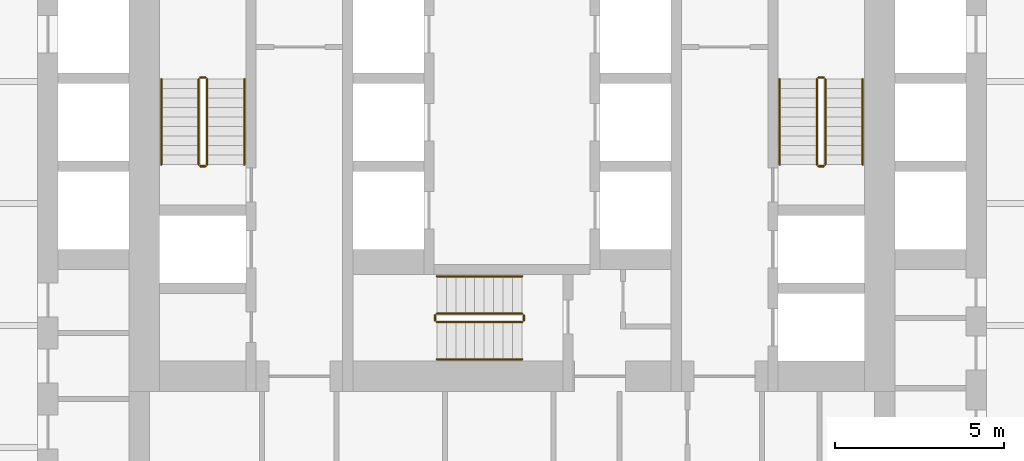
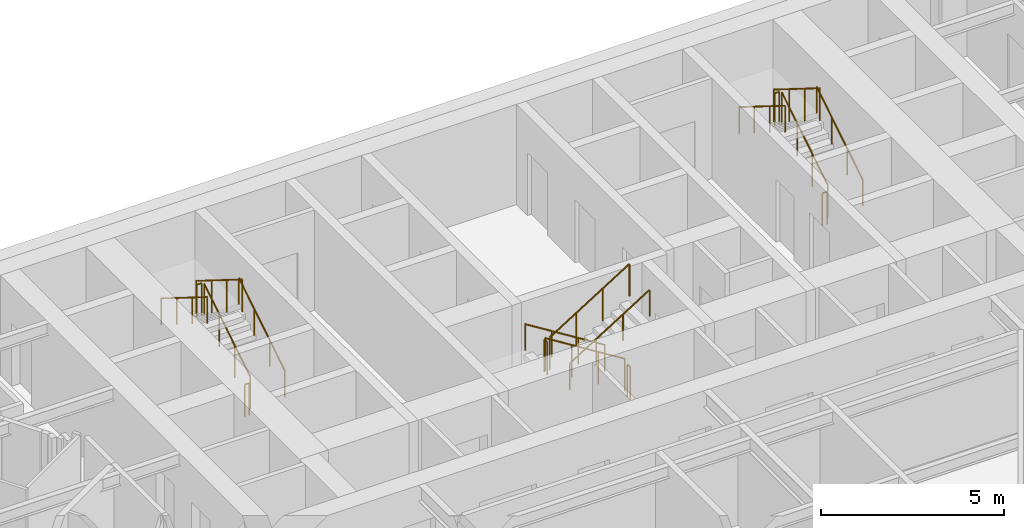
# One storey, part 10 of 10: 18 railings.
"""IFC4 building model written with IfcOpenShell, lengths in metres."""

from ifc_helpers import new_model, si_unit, direction, frame, origin, origin_2d, place, context, subcontext, project, spatial, circle, extrude, material, type_object, element, save


model = new_model("IFC4")

# Units and contexts
model_context = context("Model", 3, precision=1e-05, world=origin(), true_north=direction((0.0, 1.0)))
body_context = subcontext(model_context, "Body", "Model", "MODEL_VIEW")
ifc_project = project(units=[si_unit("LENGTHUNIT", "METRE"), si_unit("AREAUNIT", "SQUARE_METRE"), si_unit("VOLUMEUNIT", "CUBIC_METRE"), si_unit("PLANEANGLEUNIT", "RADIAN"), si_unit("MASSUNIT", "GRAM", prefix="KILO")], contexts=[model_context])

# Site, building, storey
site_placement = place(None, origin())
site = spatial("IfcSite", under=ifc_project, at=site_placement, CompositionType="ELEMENT")
building_placement = place(site_placement, origin())
building = spatial("IfcBuilding", under=site, at=building_placement, Name="Aloe Facet Convention Tower", CompositionType="ELEMENT")
storey_placement = place(building_placement, frame((0.0, 0.0, 59.5)))
storey = spatial("IfcBuildingStorey", under=building, at=storey_placement, Name="L13", CompositionType="ELEMENT", Elevation=59.5)

# Railings
ifc_material_1 = material(Name="Steel S355 balustrade", Category="steel")
railing_type_1 = type_object("IfcRailingType", Name="CR-RL-GUARD", PredefinedType="GUARDRAIL", material=ifc_material_1)
railing_1_placement = place(storey_placement, frame((71.0, 128.949951171875, 0.175048828125)))
element("IfcRailing", 1, at=railing_1_placement, inside=storey, type_object=railing_type_1, Name="L13 ST1 stair guard 1", PredefinedType="GUARDRAIL", context=body_context, shape_type="SweptSolid", body=[
    extrude(circle(Radius=0.02392578125, at=origin_2d()), frame((0.0, 0.0, 1.076171875), z_axis=(0.0, 0.848007534815, 0.529984170421), x_axis=(-1.0, 0.0, 0.0)), (0.0, 0.0, 1.0), 2.9716796875),
    extrude(circle(Radius=0.02099609375, at=origin_2d()), origin(), (0.0, 0.0, 1.0), 1.052001953125),
    extrude(circle(Radius=0.02099609375, at=origin_2d()), frame((0.0, 0.840087890625, 0.52490234375)), (0.0, 0.0, 1.0), 1.052001953125),
    extrude(circle(Radius=0.02099609375, at=origin_2d()), frame((0.0, 1.679931640625, 1.050048828125)), (0.0, 0.0, 1.0), 1.052001953125),
    extrude(circle(Radius=0.02099609375, at=origin_2d()), frame((0.0, 2.52001953125, 1.574951171875)), (0.0, 0.0, 1.0), 1.052001953125),
])
railing_2_placement = place(storey_placement, frame((70.949951171875, 131.52001953125, 1.75)))
element("IfcRailing", 2, at=railing_2_placement, inside=storey, type_object=railing_type_1, Name="L13 ST1 stair guard 2", PredefinedType="GUARDRAIL", context=body_context, shape_type="SweptSolid", body=[
    extrude(circle(Radius=0.02392578125, at=origin_2d()), frame((0.0, 0.0, 1.076171875), z_axis=(-1.0, 0.0, 0.0), x_axis=(0.0, -1.0, 0.0)), (0.0, 0.0, 1.0), 0.14990234375),
    extrude(circle(Radius=0.02099609375, at=origin_2d()), origin(), (0.0, 0.0, 1.0), 1.052001953125),
    extrude(circle(Radius=0.02099609375, at=origin_2d()), frame((-0.14990234375, 0.0, 0.0)), (0.0, 0.0, 1.0), 1.052001953125),
])
railing_3_placement = place(storey_placement, frame((70.75, 131.469970703125, 1.925048828125)))
element("IfcRailing", 3, at=railing_3_placement, inside=storey, type_object=railing_type_1, Name="L13 ST1 stair guard 3", PredefinedType="GUARDRAIL", context=body_context, shape_type="SweptSolid", body=[
    extrude(circle(Radius=0.02392578125, at=origin_2d()), frame((0.0, 0.0, 1.076171875), z_axis=(0.0, -0.848007534815, 0.529984170421), x_axis=(1.0, 0.0, 0.0)), (0.0, 0.0, 1.0), 2.9716796875),
    extrude(circle(Radius=0.02099609375, at=origin_2d()), origin(), (0.0, 0.0, 1.0), 1.052001953125),
    extrude(circle(Radius=0.02099609375, at=origin_2d()), frame((0.0, -0.840087890625, 0.52490234375)), (0.0, 0.0, 1.0), 1.052001953125),
    extrude(circle(Radius=0.02099609375, at=origin_2d()), frame((0.0, -1.679931640625, 1.050048828125)), (0.0, 0.0, 1.0), 1.052001953125),
    extrude(circle(Radius=0.02099609375, at=origin_2d()), frame((0.0, -2.52001953125, 1.574951171875)), (0.0, 0.0, 1.0), 1.052001953125),
])
railing_4_placement = place(storey_placement, frame((70.949951171875, 128.89990234375, 0.0)))
element("IfcRailing", 4, at=railing_4_placement, inside=storey, type_object=railing_type_1, Name="L13 ST1 stair guard 4", PredefinedType="GUARDRAIL", context=body_context, shape_type="SweptSolid", body=[
    extrude(circle(Radius=0.02392578125, at=origin_2d()), frame((0.0, 0.0, 1.076171875), z_axis=(-1.0, 0.0, 0.0), x_axis=(0.0, -1.0, 0.0)), (0.0, 0.0, 1.0), 0.14990234375),
    extrude(circle(Radius=0.02099609375, at=origin_2d()), origin(), (0.0, 0.0, 1.0), 1.052001953125),
    extrude(circle(Radius=0.02099609375, at=origin_2d()), frame((-0.14990234375, 0.0, 0.0)), (0.0, 0.0, 1.0), 1.052001953125),
])
railing_5_placement = place(storey_placement, frame((89.25, 128.949951171875, 0.175048828125)))
element("IfcRailing", 5, at=railing_5_placement, inside=storey, type_object=railing_type_1, Name="L13 ST2 stair guard 1", PredefinedType="GUARDRAIL", context=body_context, shape_type="SweptSolid", body=[
    extrude(circle(Radius=0.02392578125, at=origin_2d()), frame((0.0, 0.0, 1.076171875), z_axis=(0.0, 0.848007534815, 0.529984170421), x_axis=(-1.0, 0.0, 0.0)), (0.0, 0.0, 1.0), 2.9716796875),
    extrude(circle(Radius=0.02099609375, at=origin_2d()), origin(), (0.0, 0.0, 1.0), 1.052001953125),
    extrude(circle(Radius=0.02099609375, at=origin_2d()), frame((0.0, 0.840087890625, 0.52490234375)), (0.0, 0.0, 1.0), 1.052001953125),
    extrude(circle(Radius=0.02099609375, at=origin_2d()), frame((0.0, 1.679931640625, 1.050048828125)), (0.0, 0.0, 1.0), 1.052001953125),
    extrude(circle(Radius=0.02099609375, at=origin_2d()), frame((0.0, 2.52001953125, 1.574951171875)), (0.0, 0.0, 1.0), 1.052001953125),
])
railing_6_placement = place(storey_placement, frame((89.199951171875, 131.52001953125, 1.75)))
element("IfcRailing", 6, at=railing_6_placement, inside=storey, type_object=railing_type_1, Name="L13 ST2 stair guard 2", PredefinedType="GUARDRAIL", context=body_context, shape_type="SweptSolid", body=[
    extrude(circle(Radius=0.02392578125, at=origin_2d()), frame((0.0, 0.0, 1.076171875), z_axis=(-1.0, 0.0, 0.0), x_axis=(0.0, -1.0, 0.0)), (0.0, 0.0, 1.0), 0.14990234375),
    extrude(circle(Radius=0.02099609375, at=origin_2d()), origin(), (0.0, 0.0, 1.0), 1.052001953125),
    extrude(circle(Radius=0.02099609375, at=origin_2d()), frame((-0.14990234375, 0.0, 0.0)), (0.0, 0.0, 1.0), 1.052001953125),
])
railing_7_placement = place(storey_placement, frame((89.0, 131.469970703125, 1.925048828125)))
element("IfcRailing", 7, at=railing_7_placement, inside=storey, type_object=railing_type_1, Name="L13 ST2 stair guard 3", PredefinedType="GUARDRAIL", context=body_context, shape_type="SweptSolid", body=[
    extrude(circle(Radius=0.02392578125, at=origin_2d()), frame((0.0, 0.0, 1.076171875), z_axis=(0.0, -0.848007534815, 0.529984170421), x_axis=(1.0, 0.0, 0.0)), (0.0, 0.0, 1.0), 2.9716796875),
    extrude(circle(Radius=0.02099609375, at=origin_2d()), origin(), (0.0, 0.0, 1.0), 1.052001953125),
    extrude(circle(Radius=0.02099609375, at=origin_2d()), frame((0.0, -0.840087890625, 0.52490234375)), (0.0, 0.0, 1.0), 1.052001953125),
    extrude(circle(Radius=0.02099609375, at=origin_2d()), frame((0.0, -1.679931640625, 1.050048828125)), (0.0, 0.0, 1.0), 1.052001953125),
    extrude(circle(Radius=0.02099609375, at=origin_2d()), frame((0.0, -2.52001953125, 1.574951171875)), (0.0, 0.0, 1.0), 1.052001953125),
])
railing_8_placement = place(storey_placement, frame((89.199951171875, 128.89990234375, 0.0)))
element("IfcRailing", 8, at=railing_8_placement, inside=storey, type_object=railing_type_1, Name="L13 ST2 stair guard 4", PredefinedType="GUARDRAIL", context=body_context, shape_type="SweptSolid", body=[
    extrude(circle(Radius=0.02392578125, at=origin_2d()), frame((0.0, 0.0, 1.076171875), z_axis=(-1.0, 0.0, 0.0), x_axis=(0.0, -1.0, 0.0)), (0.0, 0.0, 1.0), 0.14990234375),
    extrude(circle(Radius=0.02099609375, at=origin_2d()), origin(), (0.0, 0.0, 1.0), 1.052001953125),
    extrude(circle(Radius=0.02099609375, at=origin_2d()), frame((-0.14990234375, 0.0, 0.0)), (0.0, 0.0, 1.0), 1.052001953125),
])
railing_9_placement = place(storey_placement, frame((80.300048828125, 124.550048828125, 0.175048828125)))
element("IfcRailing", 9, at=railing_9_placement, inside=storey, type_object=railing_type_1, Name="L13 ST3 stair guard 1", PredefinedType="GUARDRAIL", context=body_context, shape_type="SweptSolid", body=[
    extrude(circle(Radius=0.02392578125, at=origin_2d()), frame((0.0, 0.0, 1.076171875), z_axis=(-0.848007534815, 0.0, 0.529984170421), x_axis=(0.0, -1.0, 0.0)), (0.0, 0.0, 1.0), 2.9716796875),
    extrude(circle(Radius=0.02099609375, at=origin_2d()), origin(), (0.0, 0.0, 1.0), 1.052001953125),
    extrude(circle(Radius=0.02099609375, at=origin_2d()), frame((-0.840087890625, 0.0, 0.52490234375)), (0.0, 0.0, 1.0), 1.052001953125),
    extrude(circle(Radius=0.02099609375, at=origin_2d()), frame((-1.679931640625, 0.0, 1.050048828125)), (0.0, 0.0, 1.0), 1.052001953125),
    extrude(circle(Radius=0.02099609375, at=origin_2d()), frame((-2.52001953125, 0.0, 1.574951171875)), (0.0, 0.0, 1.0), 1.052001953125),
])
railing_10_placement = place(storey_placement, frame((77.72998046875, 124.5, 1.75)))
element("IfcRailing", 10, at=railing_10_placement, inside=storey, type_object=railing_type_1, Name="L13 ST3 stair guard 2", PredefinedType="GUARDRAIL", context=body_context, shape_type="SweptSolid", body=[
    extrude(circle(Radius=0.02392578125, at=origin_2d()), frame((0.0, 0.0, 1.076171875), z_axis=(0.0, -1.0, 0.0), x_axis=(1.0, 0.0, 0.0)), (0.0, 0.0, 1.0), 0.14990234375),
    extrude(circle(Radius=0.02099609375, at=origin_2d()), origin(), (0.0, 0.0, 1.0), 1.052001953125),
    extrude(circle(Radius=0.02099609375, at=origin_2d()), frame((0.0, -0.14990234375, 0.0)), (0.0, 0.0, 1.0), 1.052001953125),
])
railing_11_placement = place(storey_placement, frame((77.780029296875, 124.300048828125, 1.925048828125)))
element("IfcRailing", 11, at=railing_11_placement, inside=storey, type_object=railing_type_1, Name="L13 ST3 stair guard 3", PredefinedType="GUARDRAIL", context=body_context, shape_type="SweptSolid", body=[
    extrude(circle(Radius=0.02392578125, at=origin_2d()), frame((0.0, 0.0, 1.076171875), z_axis=(0.848007534815, 0.0, 0.529984170421), x_axis=(0.0, 1.0, 0.0)), (0.0, 0.0, 1.0), 2.9716796875),
    extrude(circle(Radius=0.02099609375, at=origin_2d()), origin(), (0.0, 0.0, 1.0), 1.052001953125),
    extrude(circle(Radius=0.02099609375, at=origin_2d()), frame((0.840087890625, 0.0, 0.52490234375)), (0.0, 0.0, 1.0), 1.052001953125),
    extrude(circle(Radius=0.02099609375, at=origin_2d()), frame((1.679931640625, 0.0, 1.050048828125)), (0.0, 0.0, 1.0), 1.052001953125),
    extrude(circle(Radius=0.02099609375, at=origin_2d()), frame((2.52001953125, 0.0, 1.574951171875)), (0.0, 0.0, 1.0), 1.052001953125),
])
railing_12_placement = place(storey_placement, frame((80.35009765625, 124.5, 0.0)))
element("IfcRailing", 12, at=railing_12_placement, inside=storey, type_object=railing_type_1, Name="L13 ST3 stair guard 4", PredefinedType="GUARDRAIL", context=body_context, shape_type="SweptSolid", body=[
    extrude(circle(Radius=0.02392578125, at=origin_2d()), frame((0.0, 0.0, 1.076171875), z_axis=(0.0, -1.0, 0.0), x_axis=(1.0, 0.0, 0.0)), (0.0, 0.0, 1.0), 0.14990234375),
    extrude(circle(Radius=0.02099609375, at=origin_2d()), origin(), (0.0, 0.0, 1.0), 1.052001953125),
    extrude(circle(Radius=0.02099609375, at=origin_2d()), frame((0.0, -0.14990234375, 0.0)), (0.0, 0.0, 1.0), 1.052001953125),
])
ifc_material_2 = material(Name="Steel S355 handrail", Category="steel")
railing_type_2 = type_object("IfcRailingType", Name="CR-RL-HAND", PredefinedType="HANDRAIL", material=ifc_material_2)
railing_13_placement = place(storey_placement, frame((72.10009765625, 128.949951171875, 0.175048828125)))
element("IfcRailing", 13, at=railing_13_placement, inside=storey, type_object=railing_type_2, Name="L13 ST1 stair handrail 1", PredefinedType="HANDRAIL", context=body_context, shape_type="SweptSolid", body=[
    extrude(circle(Radius=0.02392578125, at=origin_2d()), frame((0.0, 0.0, 0.8759765625), z_axis=(0.0, 0.848007534815, 0.529984170421), x_axis=(-1.0, 0.0, 0.0)), (0.0, 0.0, 1.0), 2.9716796875),
    extrude(circle(Radius=0.02099609375, at=origin_2d()), origin(), (0.0, 0.0, 1.0), 0.851806640625),
    extrude(circle(Radius=0.02099609375, at=origin_2d()), frame((0.0, 0.840087890625, 0.52490234375)), (0.0, 0.0, 1.0), 0.851806640625),
    extrude(circle(Radius=0.02099609375, at=origin_2d()), frame((0.0, 1.679931640625, 1.050048828125)), (0.0, 0.0, 1.0), 0.851806640625),
    extrude(circle(Radius=0.02099609375, at=origin_2d()), frame((0.0, 2.52001953125, 1.574951171875)), (0.0, 0.0, 1.0), 0.851806640625),
])
railing_14_placement = place(storey_placement, frame((69.64990234375, 131.469970703125, 1.925048828125)))
element("IfcRailing", 14, at=railing_14_placement, inside=storey, type_object=railing_type_2, Name="L13 ST1 stair handrail 2", PredefinedType="HANDRAIL", context=body_context, shape_type="SweptSolid", body=[
    extrude(circle(Radius=0.02392578125, at=origin_2d()), frame((0.0, 0.0, 0.8759765625), z_axis=(0.0, -0.848007534815, 0.529984170421), x_axis=(1.0, 0.0, 0.0)), (0.0, 0.0, 1.0), 2.9716796875),
    extrude(circle(Radius=0.02099609375, at=origin_2d()), origin(), (0.0, 0.0, 1.0), 0.851806640625),
    extrude(circle(Radius=0.02099609375, at=origin_2d()), frame((0.0, -0.840087890625, 0.52490234375)), (0.0, 0.0, 1.0), 0.851806640625),
    extrude(circle(Radius=0.02099609375, at=origin_2d()), frame((0.0, -1.679931640625, 1.050048828125)), (0.0, 0.0, 1.0), 0.851806640625),
    extrude(circle(Radius=0.02099609375, at=origin_2d()), frame((0.0, -2.52001953125, 1.574951171875)), (0.0, 0.0, 1.0), 0.851806640625),
])
railing_15_placement = place(storey_placement, frame((90.35009765625, 128.949951171875, 0.175048828125)))
element("IfcRailing", 15, at=railing_15_placement, inside=storey, type_object=railing_type_2, Name="L13 ST2 stair handrail 1", PredefinedType="HANDRAIL", context=body_context, shape_type="SweptSolid", body=[
    extrude(circle(Radius=0.02392578125, at=origin_2d()), frame((0.0, 0.0, 0.8759765625), z_axis=(0.0, 0.848007534815, 0.529984170421), x_axis=(-1.0, 0.0, 0.0)), (0.0, 0.0, 1.0), 2.9716796875),
    extrude(circle(Radius=0.02099609375, at=origin_2d()), origin(), (0.0, 0.0, 1.0), 0.851806640625),
    extrude(circle(Radius=0.02099609375, at=origin_2d()), frame((0.0, 0.840087890625, 0.52490234375)), (0.0, 0.0, 1.0), 0.851806640625),
    extrude(circle(Radius=0.02099609375, at=origin_2d()), frame((0.0, 1.679931640625, 1.050048828125)), (0.0, 0.0, 1.0), 0.851806640625),
    extrude(circle(Radius=0.02099609375, at=origin_2d()), frame((0.0, 2.52001953125, 1.574951171875)), (0.0, 0.0, 1.0), 0.851806640625),
])
railing_16_placement = place(storey_placement, frame((87.89990234375, 131.469970703125, 1.925048828125)))
element("IfcRailing", 16, at=railing_16_placement, inside=storey, type_object=railing_type_2, Name="L13 ST2 stair handrail 2", PredefinedType="HANDRAIL", context=body_context, shape_type="SweptSolid", body=[
    extrude(circle(Radius=0.02392578125, at=origin_2d()), frame((0.0, 0.0, 0.8759765625), z_axis=(0.0, -0.848007534815, 0.529984170421), x_axis=(1.0, 0.0, 0.0)), (0.0, 0.0, 1.0), 2.9716796875),
    extrude(circle(Radius=0.02099609375, at=origin_2d()), origin(), (0.0, 0.0, 1.0), 0.851806640625),
    extrude(circle(Radius=0.02099609375, at=origin_2d()), frame((0.0, -0.840087890625, 0.52490234375)), (0.0, 0.0, 1.0), 0.851806640625),
    extrude(circle(Radius=0.02099609375, at=origin_2d()), frame((0.0, -1.679931640625, 1.050048828125)), (0.0, 0.0, 1.0), 0.851806640625),
    extrude(circle(Radius=0.02099609375, at=origin_2d()), frame((0.0, -2.52001953125, 1.574951171875)), (0.0, 0.0, 1.0), 0.851806640625),
])
railing_17_placement = place(storey_placement, frame((80.300048828125, 125.64990234375, 0.175048828125)))
element("IfcRailing", 17, at=railing_17_placement, inside=storey, type_object=railing_type_2, Name="L13 ST3 stair handrail 1", PredefinedType="HANDRAIL", context=body_context, shape_type="SweptSolid", body=[
    extrude(circle(Radius=0.02392578125, at=origin_2d()), frame((0.0, 0.0, 0.8759765625), z_axis=(-0.848007534815, 0.0, 0.529984170421), x_axis=(0.0, -1.0, 0.0)), (0.0, 0.0, 1.0), 2.9716796875),
    extrude(circle(Radius=0.02099609375, at=origin_2d()), origin(), (0.0, 0.0, 1.0), 0.851806640625),
    extrude(circle(Radius=0.02099609375, at=origin_2d()), frame((-0.840087890625, 0.0, 0.52490234375)), (0.0, 0.0, 1.0), 0.851806640625),
    extrude(circle(Radius=0.02099609375, at=origin_2d()), frame((-1.679931640625, 0.0, 1.050048828125)), (0.0, 0.0, 1.0), 0.851806640625),
    extrude(circle(Radius=0.02099609375, at=origin_2d()), frame((-2.52001953125, 0.0, 1.574951171875)), (0.0, 0.0, 1.0), 0.851806640625),
])
railing_18_placement = place(storey_placement, frame((77.780029296875, 123.199951171875, 1.925048828125)))
element("IfcRailing", 18, at=railing_18_placement, inside=storey, type_object=railing_type_2, Name="L13 ST3 stair handrail 2", PredefinedType="HANDRAIL", context=body_context, shape_type="SweptSolid", body=[
    extrude(circle(Radius=0.02392578125, at=origin_2d()), frame((0.0, 0.0, 0.8759765625), z_axis=(0.848007534815, 0.0, 0.529984170421), x_axis=(0.0, 1.0, 0.0)), (0.0, 0.0, 1.0), 2.9716796875),
    extrude(circle(Radius=0.02099609375, at=origin_2d()), origin(), (0.0, 0.0, 1.0), 0.851806640625),
    extrude(circle(Radius=0.02099609375, at=origin_2d()), frame((0.840087890625, 0.0, 0.52490234375)), (0.0, 0.0, 1.0), 0.851806640625),
    extrude(circle(Radius=0.02099609375, at=origin_2d()), frame((1.679931640625, 0.0, 1.050048828125)), (0.0, 0.0, 1.0), 0.851806640625),
    extrude(circle(Radius=0.02099609375, at=origin_2d()), frame((2.52001953125, 0.0, 1.574951171875)), (0.0, 0.0, 1.0), 0.851806640625),
])

save(model, "model.ifc")
